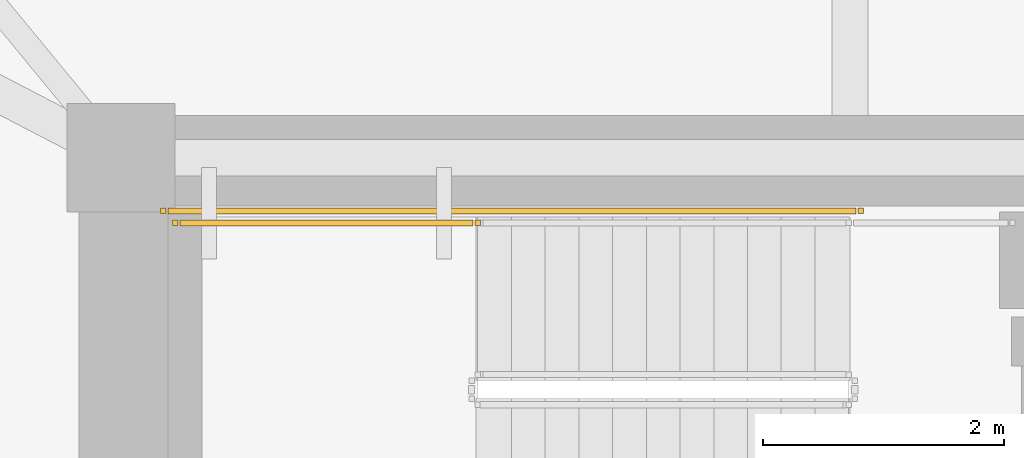
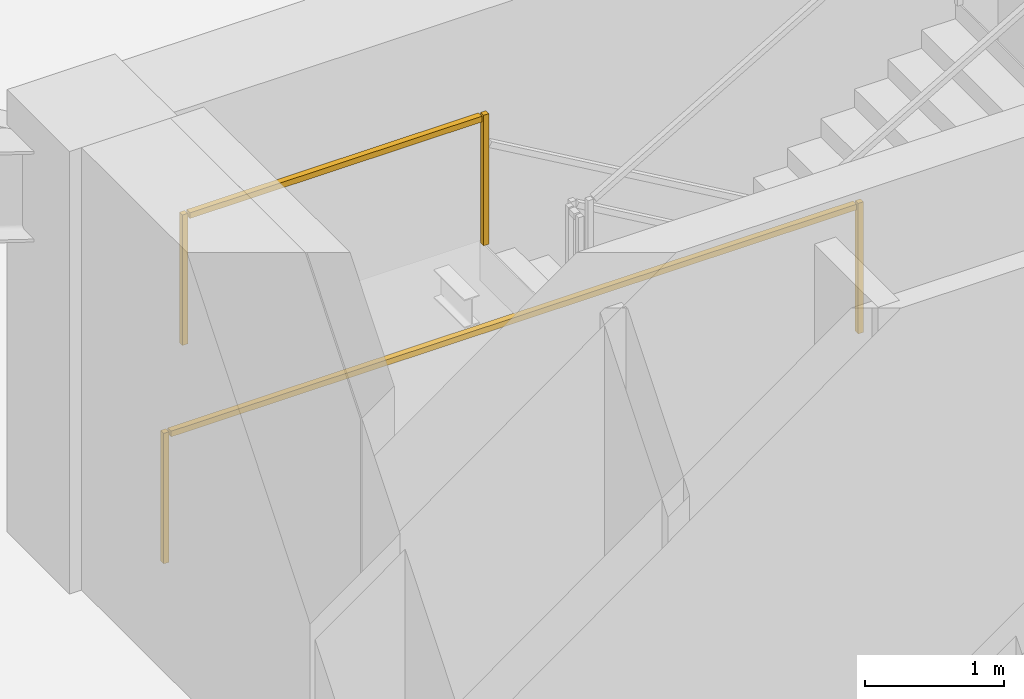
# One storey, part 12 of 15: 2 railings.
"""IFC4 building model written with IfcOpenShell, lengths in metres."""

from ifc_helpers import new_model, si_unit, direction, frame, origin, origin_2d, place, context, subcontext, project, spatial, rectangle, extrude, material, type_object, element, save


model = new_model("IFC4")

# Units and contexts
model_context = context("Model", 3, precision=1e-05, world=origin(), true_north=direction((0.0, 1.0)))
body_context = subcontext(model_context, "Body", "Model", "MODEL_VIEW")
ifc_project = project(units=[si_unit("LENGTHUNIT", "METRE"), si_unit("AREAUNIT", "SQUARE_METRE"), si_unit("VOLUMEUNIT", "CUBIC_METRE"), si_unit("PLANEANGLEUNIT", "RADIAN"), si_unit("MASSUNIT", "GRAM", prefix="KILO")], contexts=[model_context])

# Site, building, storey
site_placement = place(None, origin())
site = spatial("IfcSite", under=ifc_project, at=site_placement, CompositionType="ELEMENT")
building_placement = place(site_placement, origin())
building = spatial("IfcBuilding", under=site, at=building_placement, Name="Yunling Apex Tower", CompositionType="ELEMENT")
storey_placement = place(building_placement, frame((0.0, 0.0, 8.39990234375)))
storey = spatial("IfcBuildingStorey", under=building, at=storey_placement, Name="L03", CompositionType="ELEMENT", Elevation=8.39990234375)

# Railings
ifc_material = material(Name="Steel Q355B", Category="steel")
railing_type = type_object("IfcRailingType", Name="RL-GRD-1150", PredefinedType="GUARDRAIL", material=ifc_material)
railing_1_placement = place(storey_placement, frame((-3.090087890625, 4.9599609375, 1.9501953125)))
element("IfcRailing", 1, at=railing_1_placement, inside=storey, type_object=railing_type, Name="L03 ST-1 stair guard 3", PredefinedType="GUARDRAIL", context=body_context, shape_type="SweptSolid", body=[
    extrude(rectangle(XDim=0.0439453125, YDim=0.0439453125, at=origin_2d()), origin(), (0.0, 0.0, 1.0), 1.14990234375),
    extrude(rectangle(XDim=0.0439453125, YDim=0.0439453125, at=origin_2d()), frame((-2.510009765625, 0.0, 0.0)), (0.0, 0.0, 1.0), 1.14990234375),
    extrude(rectangle(XDim=0.050048828125, YDim=0.050048828125, at=origin_2d()), frame((-0.038330078125, 0.0, 1.125), z_axis=(-1.0, 0.0, 0.0), x_axis=(0.0, -1.0, 0.0)), (0.0, 0.0, 1.0), 2.433349609375),
])
railing_2_placement = place(storey_placement, frame((0.090087890625, 5.06005859375, 0.0)))
element("IfcRailing", 2, at=railing_2_placement, inside=storey, type_object=railing_type, Name="L03 ST-1 stair guard 7", PredefinedType="GUARDRAIL", context=body_context, shape_type="SweptSolid", body=[
    extrude(rectangle(XDim=0.0439453125, YDim=0.0439453125, at=origin_2d()), origin(), (0.0, 0.0, 1.0), 1.14990234375),
    extrude(rectangle(XDim=0.0439453125, YDim=0.0439453125, at=origin_2d()), frame((-5.7900390625, 0.0, 0.0)), (0.0, 0.0, 1.0), 1.14990234375),
    extrude(rectangle(XDim=0.050048828125, YDim=0.050048828125, at=origin_2d()), frame((-0.038330078125, 0.0, 1.125), z_axis=(-1.0, 0.0, 0.0), x_axis=(0.0, -1.0, 0.0)), (0.0, 0.0, 1.0), 5.71337890625),
])

save(model, "model.ifc")
